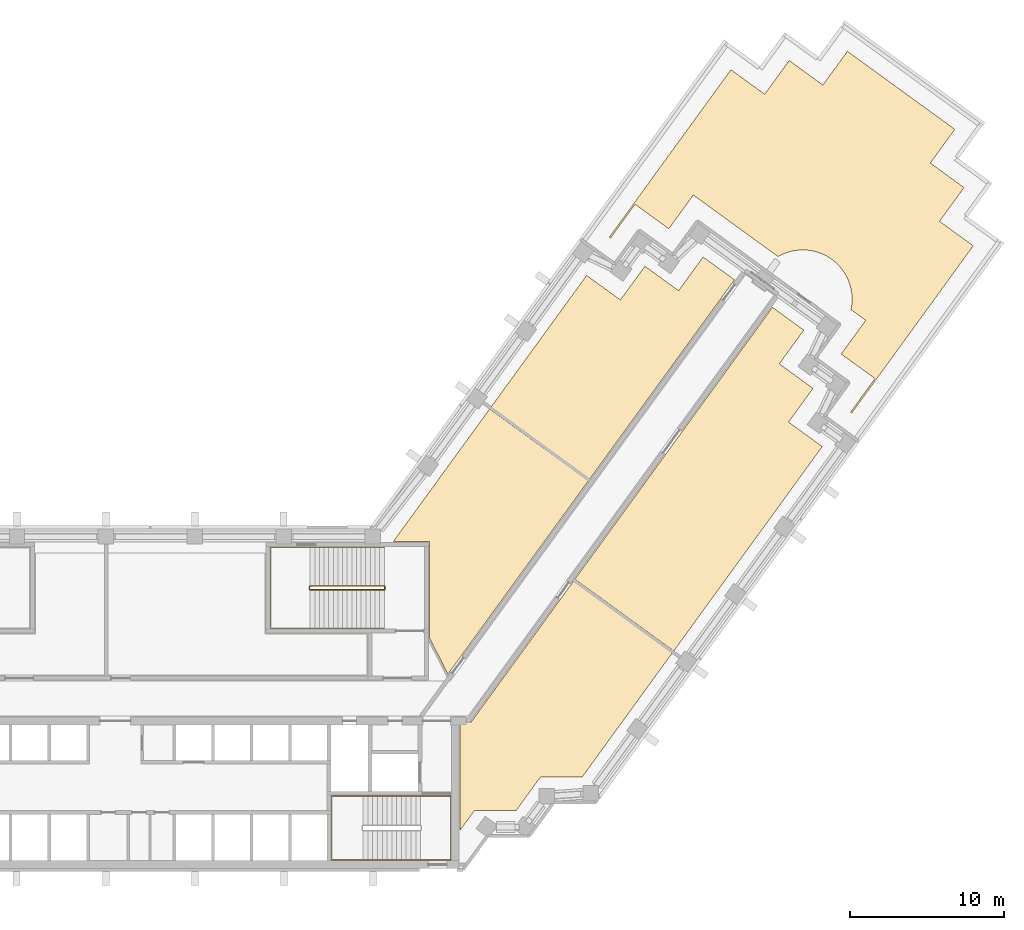
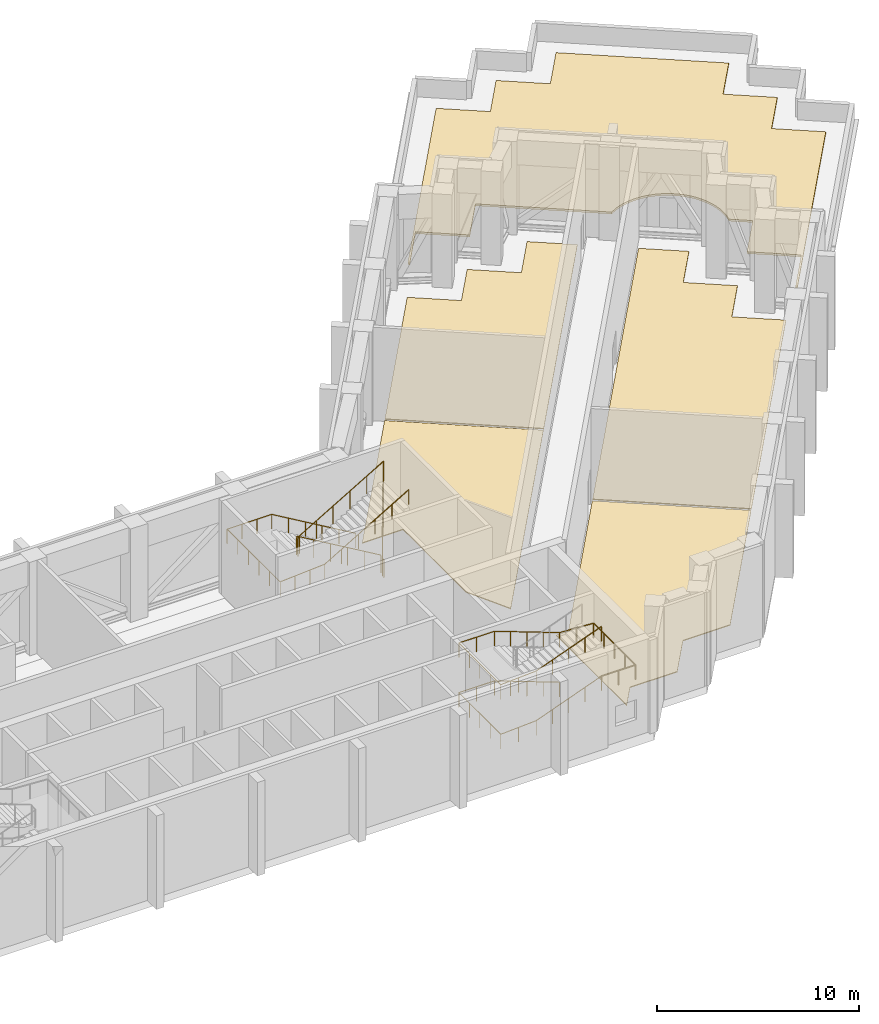
# One storey, part 18 of 18: 5 coverings, 3 railings.
"""IFC4 building model written with IfcOpenShell, lengths in metres."""

from ifc_helpers import new_model, si_unit, direction, frame, origin, origin_2d, place, context, subcontext, project, spatial, polyline, circle, outline, extrude, material, layer, layer_set, type_object, element, save


model = new_model("IFC4")

# Units and contexts
model_context = context("Model", 3, precision=1e-05, world=origin(), true_north=direction((0.0, 1.0)))
body_context = subcontext(model_context, "Body", "Model", "MODEL_VIEW")
ifc_project = project(units=[si_unit("LENGTHUNIT", "METRE"), si_unit("AREAUNIT", "SQUARE_METRE"), si_unit("VOLUMEUNIT", "CUBIC_METRE"), si_unit("PLANEANGLEUNIT", "RADIAN"), si_unit("MASSUNIT", "GRAM", prefix="KILO")], contexts=[model_context])

# Site, building, storey
site_placement = place(None, origin())
site = spatial("IfcSite", under=ifc_project, at=site_placement, CompositionType="ELEMENT")
building_placement = place(site_placement, origin())
building = spatial("IfcBuilding", under=site, at=building_placement, Name="Quipu Civic Tower", CompositionType="ELEMENT")
storey_placement = place(building_placement, frame((0.0, 0.0, 79.0)))
storey = spatial("IfcBuildingStorey", under=building, at=storey_placement, Name="L18", CompositionType="ELEMENT", Elevation=79.0)

# Coverings
ifc_material_1 = material(Name="Roof membrane and gravel ballast")
ifc_layer_1 = layer(ifc_material_1, 0.1201171875)
ifc_layer_set_1 = layer_set([ifc_layer_1], Name="Roof membrane and gravel ballast")
covering_type_1 = type_object("IfcCoveringType", Name="Roof membrane and ballast build-up", PredefinedType="ROOFING", material=ifc_layer_set_1)
covering_1_placement = place(storey_placement, origin())
element("IfcCovering", 1, at=covering_1_placement, inside=storey, type_object=covering_type_1, Name="Roof build-up L18 1", PredefinedType="ROOFING", context=body_context, shape_type="SweptSolid", body=[
    extrude(outline(polyline([(37.603515625, 40.73193359375), (39.7880859375, 39.14501953125), (41.375, 41.329345703125), (43.559326171875, 39.7421875), (45.146484375, 41.926513671875), (52.10400390625, 36.87158203125), (50.516845703125, 34.687255859375), (52.701171875, 33.100341796875), (51.1142578125, 30.916015625), (53.298583984375, 29.328857421875), (45.422119140625, 18.488037109375), (45.34130859375, 18.546875), (46.928466796875, 20.731201171875), (44.743896484375, 22.318115234375), (46.3310546875, 24.502685546875), (45.378173828125, 25.195068359375), (45.4345703125, 25.54736328125), (45.449951171875, 25.861083984375), (45.4345703125, 26.1748046875), (45.388427734375, 26.4853515625), (45.312255859375, 26.789794921875), (45.206298828125, 27.085693359375), (45.072021484375, 27.369384765625), (44.91064453125, 27.638916015625), (44.7236328125, 27.89111328125), (44.5126953125, 28.123779296875), (44.280029296875, 28.334716796875), (44.02783203125, 28.521728515625), (43.758544921875, 28.68310546875), (43.474609375, 28.8173828125), (43.178955078125, 28.923095703125), (42.874267578125, 28.99951171875), (42.563720703125, 29.045654296875), (42.25, 29.06103515625), (41.936279296875, 29.045654296875), (41.625732421875, 28.99951171875), (41.321044921875, 28.923095703125), (41.025390625, 28.8173828125), (40.6513671875, 28.629150390625), (35.16650390625, 32.614013671875), (33.57958984375, 30.4296875), (31.395263671875, 32.0166015625), (29.80810546875, 29.832275390625), (29.727294921875, 29.89111328125), (37.603515625, 40.73193359375)])), origin(), (0.0, 0.0, 1.0), 0.1201171875),
])
ifc_material_2 = material(Name="Sealed cement screed")
ifc_layer_2 = layer(ifc_material_2, 0.050048828125)
ifc_layer_set_2 = layer_set([ifc_layer_2], Name="Sealed cement screed")
covering_type_2 = type_object("IfcCoveringType", Name="Sealed screed floor finish 50", PredefinedType="FLOORING", material=ifc_layer_set_2)
covering_2_placement = place(storey_placement, origin())
element("IfcCovering", 2, at=covering_2_placement, inside=storey, type_object=covering_type_2, Name="Sealed screed floor finish 50", PredefinedType="FLOORING", context=body_context, shape_type="SweptSolid", body=[
    extrude(outline(polyline([(20.070068359375, -8.514892578125), (20.070068359375, -1.52001953125), (20.77490234375, -1.51904296875), (27.416015625, 7.62109375), (33.81494140625, 2.972900390625), (27.97900390625, -5.06103515625), (25.279052734375, -5.06103515625), (23.69189453125, -7.24609375), (20.991943359375, -7.24609375), (20.070068359375, -8.514892578125)])), origin(), (0.0, 0.0, 1.0), 0.050048828125),
])
covering_3_placement = place(storey_placement, origin())
element("IfcCovering", 3, at=covering_3_placement, inside=storey, type_object=covering_type_2, Name="Sealed screed floor finish 50", PredefinedType="FLOORING", context=body_context, shape_type="SweptSolid", body=[
    extrude(outline(polyline([(27.4990234375, 7.73388671875), (40.291015625, 25.343017578125), (42.322021484375, 23.867919921875), (40.736083984375, 21.68408203125), (42.9189453125, 20.096923828125), (41.3330078125, 17.910888671875), (43.51708984375, 16.324951171875), (33.89794921875, 3.0859375), (27.4990234375, 7.73388671875)])), origin(), (0.0, 0.0, 1.0), 0.050048828125),
])
covering_4_placement = place(storey_placement, origin())
element("IfcCovering", 4, at=covering_4_placement, inside=storey, type_object=covering_type_2, Name="Sealed screed floor finish 50", PredefinedType="FLOORING", context=body_context, shape_type="SweptSolid", body=[
    extrude(outline(polyline([(22.054931640625, 18.87109375), (28.258056640625, 27.409912109375), (30.44189453125, 25.823974609375), (32.030029296875, 28.008056640625), (34.212890625, 26.4208984375), (35.801025390625, 28.60498046875), (37.83203125, 27.1298828125), (28.4541015625, 14.221923828125), (22.054931640625, 18.87109375)])), origin(), (0.0, 0.0, 1.0), 0.050048828125),
])
covering_5_placement = place(storey_placement, origin())
element("IfcCovering", 5, at=covering_5_placement, inside=storey, type_object=covering_type_2, Name="Sealed screed floor finish 50", PredefinedType="FLOORING", context=body_context, shape_type="SweptSolid", body=[
    extrude(outline(polyline([(15.73193359375, 10.169921875), (21.971923828125, 18.758056640625), (28.37109375, 14.10888671875), (19.27197265625, 1.583984375), (18.070068359375, 3.94189453125), (18.070068359375, 10.1689453125), (15.73193359375, 10.169921875)])), origin(), (0.0, 0.0, 1.0), 0.050048828125),
])

# Railings
ifc_material_3 = material(Name="Stainless steel", Category="steel")
railing_type_1 = type_object("IfcRailingType", Name="Stair guard 1100", PredefinedType="GUARDRAIL", material=ifc_material_3)
railing_1_placement = place(storey_placement, frame((15.14990234375, 7.300048828125, 0.176513671875)))
element("IfcRailing", 6, at=railing_1_placement, inside=storey, type_object=railing_type_1, Name="Stair 4 guard", PredefinedType="GUARDRAIL", context=body_context, shape_type="SweptSolid", body=[
    extrude(circle(Radius=0.02392578125, at=origin_2d()), frame((0.0, 0.0, 1.076171875), z_axis=(-0.86192857992, 0.0, 0.507029706346), x_axis=(0.0, -1.0, 0.0)), (0.0, 0.0, 1.0), 5.568603515625),
    extrude(circle(Radius=0.02392578125, at=origin_2d()), frame((-4.7998046875, 0.0, 3.8994140625), z_axis=(-0.707106781187, -0.707106781187, 0.0), x_axis=(0.707106781187, -0.707106781187, 0.0)), (0.0, 0.0, 1.0), 0.07080078125),
    extrude(circle(Radius=0.02392578125, at=origin_2d()), frame((-4.849853515625, -0.050048828125, 3.8994140625), z_axis=(0.0, -1.0, 0.0), x_axis=(1.0, 0.0, 0.0)), (0.0, 0.0, 1.0), 0.14990234375),
    extrude(circle(Radius=0.02392578125, at=origin_2d()), frame((-4.849853515625, -0.199951171875, 3.8994140625), z_axis=(0.263171338983, -0.263171338983, 0.928160380902), x_axis=(0.707106781187, 0.707106781187, 0.0)), (0.0, 0.0, 1.0), 0.190185546875),
    extrude(circle(Radius=0.02392578125, at=origin_2d()), frame((-4.7998046875, -0.25, 4.076171875), z_axis=(0.86192857992, 0.0, 0.507029706346), x_axis=(0.0, 1.0, 0.0)), (0.0, 0.0, 1.0), 5.568603515625),
    extrude(circle(Radius=0.02392578125, at=origin_2d()), frame((0.0, -0.25, 6.8994140625), z_axis=(0.008336553618, 0.033305548356, -0.999410447375), x_axis=(-0.970072785993, 0.242814311512, 0.0)), (0.0, 0.0, 1.0), 6.00341796875),
    extrude(circle(Radius=0.02392578125, at=origin_2d()), frame((0.050048828125, -0.050048828125, 0.8994140625), z_axis=(0.0, -1.0, 0.0), x_axis=(1.0, 0.0, 0.0)), (0.0, 0.0, 1.0), 0.14990234375),
    extrude(circle(Radius=0.02099609375, at=origin_2d()), origin(), (0.0, 0.0, 1.0), 1.052001953125),
    extrude(circle(Radius=0.02099609375, at=origin_2d()), frame((-0.9599609375, 0.0, 0.564697265625)), (0.0, 0.0, 1.0), 1.052001953125),
    extrude(circle(Radius=0.02099609375, at=origin_2d()), frame((-1.919921875, 0.0, 1.12939453125)), (0.0, 0.0, 1.0), 1.052001953125),
    extrude(circle(Radius=0.02099609375, at=origin_2d()), frame((-2.8798828125, 0.0, 1.694091796875)), (0.0, 0.0, 1.0), 1.052001953125),
    extrude(circle(Radius=0.02099609375, at=origin_2d()), frame((-3.83984375, 0.0, 2.2587890625)), (0.0, 0.0, 1.0), 1.052001953125),
    extrude(circle(Radius=0.02099609375, at=origin_2d()), frame((-4.7998046875, 0.0, 2.823486328125)), (0.0, 0.0, 1.0), 1.052001953125),
    extrude(circle(Radius=0.02099609375, at=origin_2d()), frame((-4.849853515625, -0.050048828125, 2.823486328125)), (0.0, 0.0, 1.0), 1.052001953125),
    extrude(circle(Radius=0.02099609375, at=origin_2d()), frame((-4.849853515625, -0.199951171875, 2.823486328125)), (0.0, 0.0, 1.0), 1.052001953125),
    extrude(circle(Radius=0.02099609375, at=origin_2d()), frame((-4.7998046875, -0.25, 3.0)), (0.0, 0.0, 1.0), 1.052001953125),
    extrude(circle(Radius=0.02099609375, at=origin_2d()), frame((-3.83984375, -0.25, 3.564697265625)), (0.0, 0.0, 1.0), 1.052001953125),
    extrude(circle(Radius=0.02099609375, at=origin_2d()), frame((-2.8798828125, -0.25, 4.12939453125)), (0.0, 0.0, 1.0), 1.052001953125),
    extrude(circle(Radius=0.02099609375, at=origin_2d()), frame((-1.919921875, -0.25, 4.694091796875)), (0.0, 0.0, 1.0), 1.052001953125),
    extrude(circle(Radius=0.02099609375, at=origin_2d()), frame((-0.9599609375, -0.25, 5.2587890625)), (0.0, 0.0, 1.0), 1.052001953125),
    extrude(circle(Radius=0.02099609375, at=origin_2d()), frame((0.0, -0.25, 5.823486328125)), (0.0, 0.0, 1.0), 1.052001953125),
    extrude(circle(Radius=0.02099609375, at=origin_2d()), frame((0.00830078125, -0.216796875, 4.823486328125)), (0.0, 0.0, 1.0), 1.052001953125),
    extrude(circle(Radius=0.02099609375, at=origin_2d()), frame((0.0166015625, -0.183349609375, 3.823486328125)), (0.0, 0.0, 1.0), 1.052001953125),
    extrude(circle(Radius=0.02099609375, at=origin_2d()), frame((0.02490234375, -0.14990234375, 2.823486328125)), (0.0, 0.0, 1.0), 1.052001953125),
    extrude(circle(Radius=0.02099609375, at=origin_2d()), frame((0.033447265625, -0.11669921875, 1.823486328125)), (0.0, 0.0, 1.0), 1.052001953125),
    extrude(circle(Radius=0.02099609375, at=origin_2d()), frame((0.041748046875, -0.08349609375, 0.823486328125)), (0.0, 0.0, 1.0), 1.052001953125),
    extrude(circle(Radius=0.02099609375, at=origin_2d()), frame((0.050048828125, -0.050048828125, -0.176513671875)), (0.0, 0.0, 1.0), 1.052001953125),
    extrude(circle(Radius=0.02099609375, at=origin_2d()), frame((0.050048828125, -0.199951171875, -0.176513671875)), (0.0, 0.0, 1.0), 1.052001953125),
])
ifc_material_4 = material(Name="Stainless steel", Category="steel")
railing_type_2 = type_object("IfcRailingType", Name="Stair handrail", PredefinedType="HANDRAIL", material=ifc_material_4)
railing_2_placement = place(storey_placement, frame((17.5, -6.300048828125, 0.115478515625)))
element("IfcRailing", 7, at=railing_2_placement, inside=storey, type_object=railing_type_2, Name="Stair 2 handrail", PredefinedType="HANDRAIL", context=body_context, shape_type="SweptSolid", body=[
    extrude(circle(Radius=0.02392578125, at=origin_2d()), frame((0.0, 0.0, 0.8759765625), z_axis=(-0.937193329374, 0.0, 0.348810354458), x_axis=(0.0, -1.0, 0.0)), (0.0, 0.0, 1.0), 3.96923828125),
    extrude(circle(Radius=0.02392578125, at=origin_2d()), frame((-3.719970703125, 0.0, 2.26025390625), z_axis=(-1.0, 0.0, 0.0), x_axis=(0.0, -1.0, 0.0)), (0.0, 0.0, 1.0), 2.030029296875),
    extrude(circle(Radius=0.02392578125, at=origin_2d()), frame((-5.75, 0.0, 2.26025390625), z_axis=(0.0, -1.0, 0.0), x_axis=(1.0, 0.0, 0.0)), (0.0, 0.0, 1.0), 4.14990234375),
    extrude(circle(Radius=0.02392578125, at=origin_2d()), frame((-5.75, -4.14990234375, 2.26025390625), z_axis=(0.99838595614, 0.0, 0.056793332201), x_axis=(0.0, 1.0, 0.0)), (0.0, 0.0, 1.0), 2.033203125),
    extrude(circle(Radius=0.02392578125, at=origin_2d()), frame((-3.719970703125, -4.14990234375, 2.3759765625), z_axis=(0.937193329374, 0.0, 0.348810354458), x_axis=(0.0, 1.0, 0.0)), (0.0, 0.0, 1.0), 3.96923828125),
    extrude(circle(Radius=0.02392578125, at=origin_2d()), frame((0.0, -4.14990234375, 3.76025390625), z_axis=(1.0, 0.0, 0.0), x_axis=(0.0, 1.0, 0.0)), (0.0, 0.0, 1.0), 1.949951171875),
    extrude(circle(Radius=0.02392578125, at=origin_2d()), frame((1.949951171875, -4.14990234375, 3.76025390625), z_axis=(0.0, 1.0, 0.0), x_axis=(-1.0, 0.0, 0.0)), (0.0, 0.0, 1.0), 4.14990234375),
    extrude(circle(Radius=0.02392578125, at=origin_2d()), frame((1.949951171875, 0.0, 3.76025390625), z_axis=(-0.998251021802, 0.0, 0.059117657858), x_axis=(0.0, -1.0, 0.0)), (0.0, 0.0, 1.0), 1.953369140625),
    extrude(circle(Radius=0.02392578125, at=origin_2d()), frame((0.0, 0.0, 3.8759765625), z_axis=(-0.937193329374, 0.0, 0.348810354458), x_axis=(0.0, -1.0, 0.0)), (0.0, 0.0, 1.0), 3.96923828125),
    extrude(circle(Radius=0.02392578125, at=origin_2d()), frame((-3.719970703125, 0.0, 5.26025390625), z_axis=(-1.0, 0.0, 0.0), x_axis=(0.0, -1.0, 0.0)), (0.0, 0.0, 1.0), 2.030029296875),
    extrude(circle(Radius=0.02392578125, at=origin_2d()), frame((-5.75, 0.0, 5.26025390625), z_axis=(0.0, -1.0, 0.0), x_axis=(1.0, 0.0, 0.0)), (0.0, 0.0, 1.0), 4.14990234375),
    extrude(circle(Radius=0.02392578125, at=origin_2d()), frame((-5.75, -4.14990234375, 5.26025390625), z_axis=(0.99838595614, 0.0, 0.056793332201), x_axis=(0.0, 1.0, 0.0)), (0.0, 0.0, 1.0), 2.033203125),
    extrude(circle(Radius=0.02392578125, at=origin_2d()), frame((-3.719970703125, -4.14990234375, 5.3759765625), z_axis=(0.937193329374, 0.0, 0.348810354458), x_axis=(0.0, 1.0, 0.0)), (0.0, 0.0, 1.0), 3.96923828125),
    extrude(circle(Radius=0.02099609375, at=origin_2d()), origin(), (0.0, 0.0, 1.0), 0.851806640625),
    extrude(circle(Radius=0.02099609375, at=origin_2d()), frame((-0.929931640625, 0.0, 0.34619140625)), (0.0, 0.0, 1.0), 0.851806640625),
    extrude(circle(Radius=0.02099609375, at=origin_2d()), frame((-1.85986328125, 0.0, 0.6923828125)), (0.0, 0.0, 1.0), 0.851806640625),
    extrude(circle(Radius=0.02099609375, at=origin_2d()), frame((-2.7900390625, 0.0, 1.038330078125)), (0.0, 0.0, 1.0), 0.851806640625),
    extrude(circle(Radius=0.02099609375, at=origin_2d()), frame((-3.719970703125, 0.0, 1.384521484375)), (0.0, 0.0, 1.0), 0.851806640625),
    extrude(circle(Radius=0.02099609375, at=origin_2d()), frame((-4.73486328125, 0.0, 1.384521484375)), (0.0, 0.0, 1.0), 0.851806640625),
    extrude(circle(Radius=0.02099609375, at=origin_2d()), frame((-5.75, 0.0, 1.384521484375)), (0.0, 0.0, 1.0), 0.851806640625),
    extrude(circle(Radius=0.02099609375, at=origin_2d()), frame((-5.75, -1.03759765625, 1.384521484375)), (0.0, 0.0, 1.0), 0.851806640625),
    extrude(circle(Radius=0.02099609375, at=origin_2d()), frame((-5.75, -2.074951171875, 1.384521484375)), (0.0, 0.0, 1.0), 0.851806640625),
    extrude(circle(Radius=0.02099609375, at=origin_2d()), frame((-5.75, -3.1123046875, 1.384521484375)), (0.0, 0.0, 1.0), 0.851806640625),
    extrude(circle(Radius=0.02099609375, at=origin_2d()), frame((-5.75, -4.14990234375, 1.384521484375)), (0.0, 0.0, 1.0), 0.851806640625),
    extrude(circle(Radius=0.02099609375, at=origin_2d()), frame((-4.73486328125, -4.14990234375, 1.4423828125)), (0.0, 0.0, 1.0), 0.851806640625),
    extrude(circle(Radius=0.02099609375, at=origin_2d()), frame((-3.719970703125, -4.14990234375, 1.5)), (0.0, 0.0, 1.0), 0.851806640625),
    extrude(circle(Radius=0.02099609375, at=origin_2d()), frame((-2.7900390625, -4.14990234375, 1.84619140625)), (0.0, 0.0, 1.0), 0.851806640625),
    extrude(circle(Radius=0.02099609375, at=origin_2d()), frame((-1.85986328125, -4.14990234375, 2.1923828125)), (0.0, 0.0, 1.0), 0.851806640625),
    extrude(circle(Radius=0.02099609375, at=origin_2d()), frame((-0.929931640625, -4.14990234375, 2.538330078125)), (0.0, 0.0, 1.0), 0.851806640625),
    extrude(circle(Radius=0.02099609375, at=origin_2d()), frame((0.0, -4.14990234375, 2.884521484375)), (0.0, 0.0, 1.0), 0.851806640625),
    extrude(circle(Radius=0.02099609375, at=origin_2d()), frame((0.97509765625, -4.14990234375, 2.884521484375)), (0.0, 0.0, 1.0), 0.851806640625),
    extrude(circle(Radius=0.02099609375, at=origin_2d()), frame((1.949951171875, -4.14990234375, 2.884521484375)), (0.0, 0.0, 1.0), 0.851806640625),
    extrude(circle(Radius=0.02099609375, at=origin_2d()), frame((1.949951171875, -3.1123046875, 2.884521484375)), (0.0, 0.0, 1.0), 0.851806640625),
    extrude(circle(Radius=0.02099609375, at=origin_2d()), frame((1.949951171875, -2.074951171875, 2.884521484375)), (0.0, 0.0, 1.0), 0.851806640625),
    extrude(circle(Radius=0.02099609375, at=origin_2d()), frame((1.949951171875, -1.03759765625, 2.884521484375)), (0.0, 0.0, 1.0), 0.851806640625),
    extrude(circle(Radius=0.02099609375, at=origin_2d()), frame((1.949951171875, 0.0, 2.884521484375)), (0.0, 0.0, 1.0), 0.851806640625),
    extrude(circle(Radius=0.02099609375, at=origin_2d()), frame((0.97509765625, 0.0, 2.9423828125)), (0.0, 0.0, 1.0), 0.851806640625),
    extrude(circle(Radius=0.02099609375, at=origin_2d()), frame((0.0, 0.0, 3.0)), (0.0, 0.0, 1.0), 0.851806640625),
    extrude(circle(Radius=0.02099609375, at=origin_2d()), frame((-0.929931640625, 0.0, 3.34619140625)), (0.0, 0.0, 1.0), 0.851806640625),
    extrude(circle(Radius=0.02099609375, at=origin_2d()), frame((-1.85986328125, 0.0, 3.6923828125)), (0.0, 0.0, 1.0), 0.851806640625),
    extrude(circle(Radius=0.02099609375, at=origin_2d()), frame((-2.7900390625, 0.0, 4.038330078125)), (0.0, 0.0, 1.0), 0.851806640625),
    extrude(circle(Radius=0.02099609375, at=origin_2d()), frame((-3.719970703125, 0.0, 4.384521484375)), (0.0, 0.0, 1.0), 0.851806640625),
    extrude(circle(Radius=0.02099609375, at=origin_2d()), frame((-4.73486328125, 0.0, 4.384521484375)), (0.0, 0.0, 1.0), 0.851806640625),
    extrude(circle(Radius=0.02099609375, at=origin_2d()), frame((-5.75, 0.0, 4.384521484375)), (0.0, 0.0, 1.0), 0.851806640625),
    extrude(circle(Radius=0.02099609375, at=origin_2d()), frame((-5.75, -1.03759765625, 4.384521484375)), (0.0, 0.0, 1.0), 0.851806640625),
    extrude(circle(Radius=0.02099609375, at=origin_2d()), frame((-5.75, -2.074951171875, 4.384521484375)), (0.0, 0.0, 1.0), 0.851806640625),
    extrude(circle(Radius=0.02099609375, at=origin_2d()), frame((-5.75, -3.1123046875, 4.384521484375)), (0.0, 0.0, 1.0), 0.851806640625),
    extrude(circle(Radius=0.02099609375, at=origin_2d()), frame((-5.75, -4.14990234375, 4.384521484375)), (0.0, 0.0, 1.0), 0.851806640625),
    extrude(circle(Radius=0.02099609375, at=origin_2d()), frame((-4.73486328125, -4.14990234375, 4.4423828125)), (0.0, 0.0, 1.0), 0.851806640625),
    extrude(circle(Radius=0.02099609375, at=origin_2d()), frame((-3.719970703125, -4.14990234375, 4.5)), (0.0, 0.0, 1.0), 0.851806640625),
    extrude(circle(Radius=0.02099609375, at=origin_2d()), frame((-2.7900390625, -4.14990234375, 4.84619140625)), (0.0, 0.0, 1.0), 0.851806640625),
    extrude(circle(Radius=0.02099609375, at=origin_2d()), frame((-1.85986328125, -4.14990234375, 5.1923828125)), (0.0, 0.0, 1.0), 0.851806640625),
    extrude(circle(Radius=0.02099609375, at=origin_2d()), frame((-0.929931640625, -4.14990234375, 5.538330078125)), (0.0, 0.0, 1.0), 0.851806640625),
    extrude(circle(Radius=0.02099609375, at=origin_2d()), frame((0.0, -4.14990234375, 5.884521484375)), (0.0, 0.0, 1.0), 0.851806640625),
])
railing_3_placement = place(storey_placement, frame((15.14990234375, 9.800048828125, 0.176513671875)))
element("IfcRailing", 8, at=railing_3_placement, inside=storey, type_object=railing_type_2, Name="Stair 4 handrail", PredefinedType="HANDRAIL", context=body_context, shape_type="SweptSolid", body=[
    extrude(circle(Radius=0.02392578125, at=origin_2d()), frame((0.0, 0.0, 0.8759765625), z_axis=(-0.86192857992, 0.0, 0.507029706346), x_axis=(0.0, -1.0, 0.0)), (0.0, 0.0, 1.0), 5.568603515625),
    extrude(circle(Radius=0.02392578125, at=origin_2d()), frame((-4.7998046875, 0.0, 3.69921875), z_axis=(-1.0, 0.0, 0.0), x_axis=(0.0, -1.0, 0.0)), (0.0, 0.0, 1.0), 2.550048828125),
    extrude(circle(Radius=0.02392578125, at=origin_2d()), frame((-7.349853515625, 0.0, 3.69921875), z_axis=(0.0, -1.0, 0.0), x_axis=(1.0, 0.0, 0.0)), (0.0, 0.0, 1.0), 5.25),
    extrude(circle(Radius=0.02392578125, at=origin_2d()), frame((-7.349853515625, -5.25, 3.69921875), z_axis=(0.997612889748, 0.0, 0.069054487246), x_axis=(0.0, 1.0, 0.0)), (0.0, 0.0, 1.0), 2.55615234375),
    extrude(circle(Radius=0.02392578125, at=origin_2d()), frame((-4.7998046875, -5.25, 3.8759765625), z_axis=(0.86192857992, 0.0, 0.507029706346), x_axis=(0.0, 1.0, 0.0)), (0.0, 0.0, 1.0), 5.568603515625),
    extrude(circle(Radius=0.02099609375, at=origin_2d()), origin(), (0.0, 0.0, 1.0), 0.851806640625),
    extrude(circle(Radius=0.02099609375, at=origin_2d()), frame((-0.9599609375, 0.0, 0.564697265625)), (0.0, 0.0, 1.0), 0.851806640625),
    extrude(circle(Radius=0.02099609375, at=origin_2d()), frame((-1.919921875, 0.0, 1.12939453125)), (0.0, 0.0, 1.0), 0.851806640625),
    extrude(circle(Radius=0.02099609375, at=origin_2d()), frame((-2.8798828125, 0.0, 1.694091796875)), (0.0, 0.0, 1.0), 0.851806640625),
    extrude(circle(Radius=0.02099609375, at=origin_2d()), frame((-3.83984375, 0.0, 2.2587890625)), (0.0, 0.0, 1.0), 0.851806640625),
    extrude(circle(Radius=0.02099609375, at=origin_2d()), frame((-4.7998046875, 0.0, 2.823486328125)), (0.0, 0.0, 1.0), 0.851806640625),
    extrude(circle(Radius=0.02099609375, at=origin_2d()), frame((-5.64990234375, 0.0, 2.823486328125)), (0.0, 0.0, 1.0), 0.851806640625),
    extrude(circle(Radius=0.02099609375, at=origin_2d()), frame((-6.499755859375, 0.0, 2.823486328125)), (0.0, 0.0, 1.0), 0.851806640625),
    extrude(circle(Radius=0.02099609375, at=origin_2d()), frame((-7.349853515625, 0.0, 2.823486328125)), (0.0, 0.0, 1.0), 0.851806640625),
    extrude(circle(Radius=0.02099609375, at=origin_2d()), frame((-7.349853515625, -1.050048828125, 2.823486328125)), (0.0, 0.0, 1.0), 0.851806640625),
    extrude(circle(Radius=0.02099609375, at=origin_2d()), frame((-7.349853515625, -2.10009765625, 2.823486328125)), (0.0, 0.0, 1.0), 0.851806640625),
    extrude(circle(Radius=0.02099609375, at=origin_2d()), frame((-7.349853515625, -3.14990234375, 2.823486328125)), (0.0, 0.0, 1.0), 0.851806640625),
    extrude(circle(Radius=0.02099609375, at=origin_2d()), frame((-7.349853515625, -4.199951171875, 2.823486328125)), (0.0, 0.0, 1.0), 0.851806640625),
    extrude(circle(Radius=0.02099609375, at=origin_2d()), frame((-7.349853515625, -5.25, 2.823486328125)), (0.0, 0.0, 1.0), 0.851806640625),
    extrude(circle(Radius=0.02099609375, at=origin_2d()), frame((-6.499755859375, -5.25, 2.88232421875)), (0.0, 0.0, 1.0), 0.851806640625),
    extrude(circle(Radius=0.02099609375, at=origin_2d()), frame((-5.64990234375, -5.25, 2.941162109375)), (0.0, 0.0, 1.0), 0.851806640625),
    extrude(circle(Radius=0.02099609375, at=origin_2d()), frame((-4.7998046875, -5.25, 3.0)), (0.0, 0.0, 1.0), 0.851806640625),
    extrude(circle(Radius=0.02099609375, at=origin_2d()), frame((-3.83984375, -5.25, 3.564697265625)), (0.0, 0.0, 1.0), 0.851806640625),
    extrude(circle(Radius=0.02099609375, at=origin_2d()), frame((-2.8798828125, -5.25, 4.12939453125)), (0.0, 0.0, 1.0), 0.851806640625),
    extrude(circle(Radius=0.02099609375, at=origin_2d()), frame((-1.919921875, -5.25, 4.694091796875)), (0.0, 0.0, 1.0), 0.851806640625),
    extrude(circle(Radius=0.02099609375, at=origin_2d()), frame((-0.9599609375, -5.25, 5.2587890625)), (0.0, 0.0, 1.0), 0.851806640625),
    extrude(circle(Radius=0.02099609375, at=origin_2d()), frame((0.0, -5.25, 5.823486328125)), (0.0, 0.0, 1.0), 0.851806640625),
])

save(model, "model.ifc")
